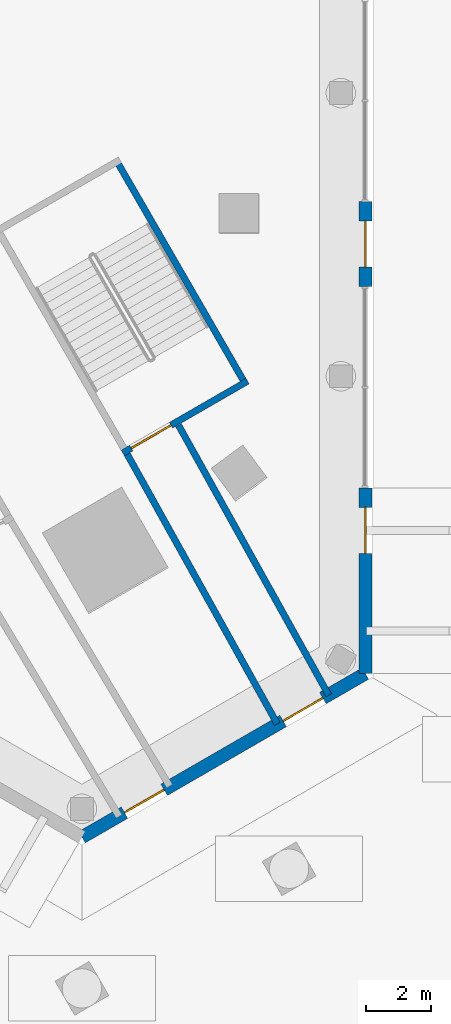
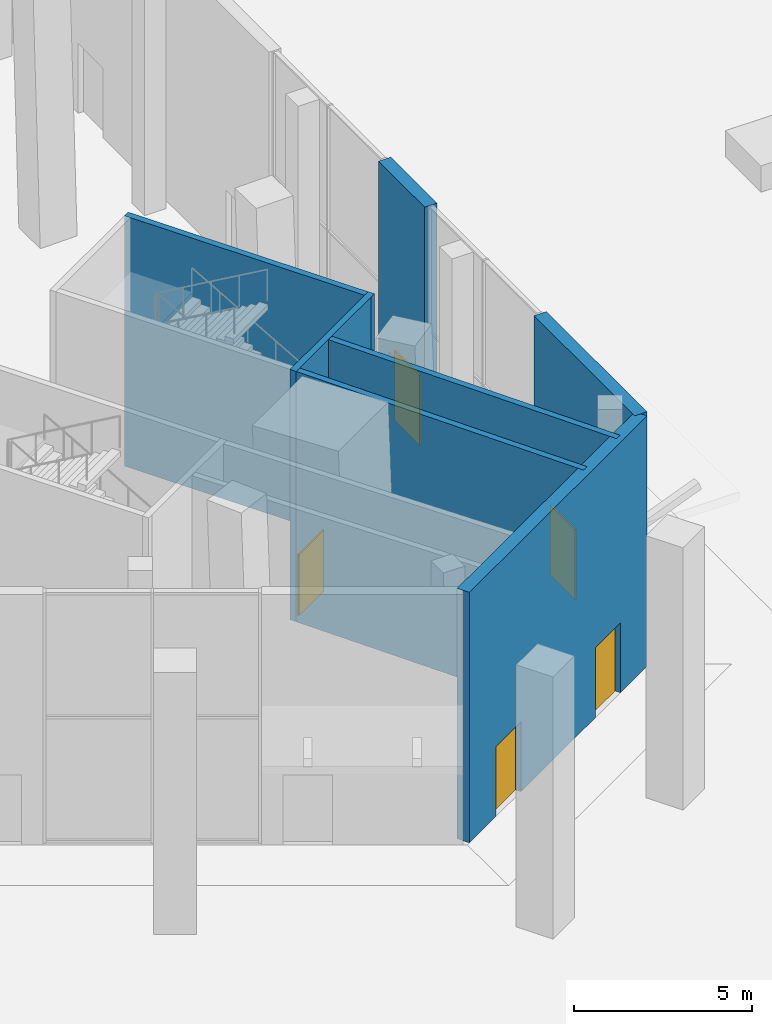
# One storey, part 24 of 63: 7 walls, 5 doors, 5 openings.
"""IFC4 building model written with IfcOpenShell, lengths in metres."""

from ifc_helpers import new_model, si_unit, direction, frame, frame_2d, origin, place, context, subcontext, project, spatial, rectangle, extrude, material, layer, layer_set, type_object, element, fill, save


model = new_model("IFC4")

# Units and contexts
model_context = context("Model", 3, precision=1e-05, world=origin(), true_north=direction((0.0, 1.0)))
body_context = subcontext(model_context, "Body", "Model", "MODEL_VIEW")
ifc_project = project(units=[si_unit("LENGTHUNIT", "METRE"), si_unit("AREAUNIT", "SQUARE_METRE"), si_unit("VOLUMEUNIT", "CUBIC_METRE"), si_unit("PLANEANGLEUNIT", "RADIAN"), si_unit("MASSUNIT", "GRAM", prefix="KILO")], contexts=[model_context])

# Site, building, storey
site_placement = place(None, origin())
site = spatial("IfcSite", under=ifc_project, at=site_placement, CompositionType="ELEMENT")
building_placement = place(site_placement, origin())
building = spatial("IfcBuilding", under=site, at=building_placement, Name="Jabali Bay Hotel Tower and Convention Centre", CompositionType="ELEMENT")
storey_placement = place(building_placement, origin())
storey = spatial("IfcBuildingStorey", under=building, at=storey_placement, Name="L00", CompositionType="ELEMENT", Elevation=0.0)

# Wall, opening, door
ifc_material_1 = material(Name="Concrete C40", Category="concrete")
ifc_layer_1 = layer(ifc_material_1, 0.39990234375)
ifc_layer_set_1 = layer_set([ifc_layer_1], Name="Concrete C40")
wall_type_1 = type_object("IfcWallType", Name="Podium external wall 400", PredefinedType="SOLIDWALL", material=ifc_layer_set_1)
wall_1_placement = place(storey_placement, frame((103.5, 46.310302734375, 0.0), z_axis=(0.0, 0.0, 1.0), x_axis=(0.0, -1.0, 0.0)))
wall_1 = element("IfcWall", 1, at=wall_1_placement, inside=storey, type_object=wall_type_1, Name="External wall east face L00", PredefinedType="SOLIDWALL", context=body_context, shape_type="SweptSolid", body=[
    extrude(rectangle(XDim=5.673828125, YDim=0.39990234375, at=frame_2d((2.8369140625, 0.0))), origin(), (0.0, 0.0, 1.0), 8.60009765625),
])
opening_1_placement = place(wall_1_placement, frame((0.60009765625, 0.0, 0.0)))
opening_1 = element("IfcOpeningElement", 2, at=opening_1_placement, cuts=wall_1, Name="Opening ED2", PredefinedType="OPENING", context=body_context, shape_type="SweptSolid", body=[
    extrude(rectangle(XDim=1.39990234375, YDim=2.39990234375, at=frame_2d((0.699951171875, 1.199951171875))), frame((0.0, 0.21044921875, 0.0), z_axis=(0.0, -1.0, 0.0), x_axis=(1.0, 0.0, 0.0)), (0.0, 0.0, 1.0), 0.4208984375),
])
ifc_material_2 = material(Name="Glass", Category="glass")
door_type_1 = type_object("IfcDoorType", Name="Entrance door 1400 x 2400", OperationType="NOTDEFINED", PredefinedType="NOTDEFINED", material=ifc_material_2)
door_1_placement = place(opening_1_placement, origin())
door_1 = element("IfcDoor", 3, at=door_1_placement, inside=storey, type_object=door_type_1, Name="Entrance door", OperationType="SINGLE_SWING_LEFT", OverallHeight=2.39990234375, OverallWidth=1.39990234375, PredefinedType="NOTDEFINED", context=body_context, shape_type="SweptSolid", body=[
    extrude(rectangle(XDim=1.39990234375, YDim=2.39990234375, at=frame_2d((0.699951171875, 1.199951171875))), frame((0.0, 0.02490234375, 0.0), z_axis=(0.0, -1.0, 0.0), x_axis=(1.0, 0.0, 0.0)), (0.0, 0.0, 1.0), 0.050048828125),
])
fill(opening_1, door_1)

wall_2_placement = place(storey_placement, frame((103.5, 55.0576171875, 0.0), z_axis=(0.0, 0.0, 1.0), x_axis=(0.0, -1.0, 0.0)))
wall_2 = element("IfcWall", 4, at=wall_2_placement, inside=storey, type_object=wall_type_1, Name="External wall east face L00", PredefinedType="SOLIDWALL", context=body_context, shape_type="SweptSolid", body=[
    extrude(rectangle(XDim=2.599853515625, YDim=0.39990234375, at=frame_2d((1.2998046875, 0.0))), origin(), (0.0, 0.0, 1.0), 8.60009765625),
])
opening_2_placement = place(wall_2_placement, frame((0.60009765625, 0.0, 0.0)))
opening_2 = element("IfcOpeningElement", 5, at=opening_2_placement, cuts=wall_2, Name="Opening ED2", PredefinedType="OPENING", context=body_context, shape_type="SweptSolid", body=[
    extrude(rectangle(XDim=1.39990234375, YDim=2.39990234375, at=frame_2d((0.699951171875, 1.199951171875))), frame((0.0, 0.21044921875, 0.0), z_axis=(0.0, -1.0, 0.0), x_axis=(1.0, 0.0, 0.0)), (0.0, 0.0, 1.0), 0.4208984375),
])
door_2_placement = place(opening_2_placement, origin())
door_2 = element("IfcDoor", 6, at=door_2_placement, inside=storey, type_object=door_type_1, Name="Entrance door", OperationType="SINGLE_SWING_RIGHT", OverallHeight=2.39990234375, OverallWidth=1.39990234375, PredefinedType="NOTDEFINED", context=body_context, shape_type="SweptSolid", body=[
    extrude(rectangle(XDim=1.39990234375, YDim=2.39990234375, at=frame_2d((0.699951171875, 1.199951171875))), frame((0.0, 0.02490234375, 0.0), z_axis=(0.0, -1.0, 0.0), x_axis=(1.0, 0.0, 0.0)), (0.0, 0.0, 1.0), 0.050048828125),
])
fill(opening_2, door_2)

# Wall, openings, doors
wall_3_placement = place(storey_placement, frame((103.5, 40.636474609375, 0.0), z_axis=(0.0, 0.0, 1.0), x_axis=(-0.866022959057, -0.500004234368, 0.0)))
wall_3 = element("IfcWall", 7, at=wall_3_placement, inside=storey, type_object=wall_type_1, Name="External wall south-east chamfer L00", PredefinedType="SOLIDWALL", context=body_context, shape_type="SweptSolid", body=[
    extrude(rectangle(XDim=10.0, YDim=0.39990234375, at=frame_2d((5.0, 0.0))), origin(), (0.0, 0.0, 1.0), 8.60009765625),
])
opening_3_placement = place(wall_3_placement, frame((7.10009765625, 0.0, 0.0)))
opening_3 = element("IfcOpeningElement", 8, at=opening_3_placement, cuts=wall_3, Name="Opening ED4", PredefinedType="OPENING", context=body_context, shape_type="SweptSolid", body=[
    extrude(rectangle(XDim=1.39990234375, YDim=2.39990234375, at=frame_2d((0.699951171875, 1.199951171875))), frame((0.0, 0.21044921875, 0.0), z_axis=(0.0, -1.0, 0.0), x_axis=(1.0, 0.0, 0.0)), (0.0, 0.0, 1.0), 0.4208984375),
])
opening_4_placement = place(wall_3_placement, frame((1.5, 0.0, 0.0)))
opening_4 = element("IfcOpeningElement", 9, at=opening_4_placement, cuts=wall_3, Name="Opening ED4", PredefinedType="OPENING", context=body_context, shape_type="SweptSolid", body=[
    extrude(rectangle(XDim=1.39990234375, YDim=2.39990234375, at=frame_2d((0.699951171875, 1.199951171875))), frame((0.0, 0.21044921875, 0.0), z_axis=(0.0, -1.0, 0.0), x_axis=(1.0, 0.0, 0.0)), (0.0, 0.0, 1.0), 0.4208984375),
])
ifc_material_3 = material(Name="Steel Q355B", Category="steel")
door_type_2 = type_object("IfcDoorType", Name="Stair exit door 1400 x 2400", OperationType="NOTDEFINED", PredefinedType="NOTDEFINED", material=ifc_material_3)
door_3_placement = place(opening_3_placement, origin())
door_3 = element("IfcDoor", 10, at=door_3_placement, inside=storey, type_object=door_type_2, Name="Stair PS6 exit door", OperationType="DOUBLE_DOOR_SINGLE_SWING", OverallHeight=2.39990234375, OverallWidth=1.39990234375, PredefinedType="NOTDEFINED", context=body_context, shape_type="SweptSolid", body=[
    extrude(rectangle(XDim=1.39990234375, YDim=2.39990234375, at=frame_2d((0.699951171875, 1.199951171875))), frame((0.0, 0.02490234375, 0.0), z_axis=(0.0, -1.0, 0.0), x_axis=(1.0, 0.0, 0.0)), (0.0, 0.0, 1.0), 0.050048828125),
])
fill(opening_3, door_3)
door_4_placement = place(opening_4_placement, origin())
door_4 = element("IfcDoor", 11, at=door_4_placement, inside=storey, type_object=door_type_2, Name="Stair PS5 exit door", OperationType="DOUBLE_DOOR_SINGLE_SWING", OverallHeight=2.39990234375, OverallWidth=1.39990234375, PredefinedType="NOTDEFINED", context=body_context, shape_type="SweptSolid", body=[
    extrude(rectangle(XDim=1.39990234375, YDim=2.39990234375, at=frame_2d((0.699951171875, 1.199951171875))), frame((0.0, 0.02490234375, 0.0), z_axis=(0.0, -1.0, 0.0), x_axis=(1.0, 0.0, 0.0)), (0.0, 0.0, 1.0), 0.050048828125),
])
fill(opening_4, door_4)

# Wall, opening, door
ifc_layer_2 = layer(ifc_material_1, 0.199951171875)
ifc_layer_set_2 = layer_set([ifc_layer_2], Name="Concrete C40")
wall_type_2 = type_object("IfcWallType", Name="Podium stair enclosure wall 200", PredefinedType="SOLIDWALL", material=ifc_layer_set_2)
wall_4_placement = place(storey_placement, frame((96.0888671875, 47.373291015625, 0.0), z_axis=(0.0, 0.0, 1.0), x_axis=(0.866018331238, 0.50001224981, 0.0)))
wall_4 = element("IfcWall", 12, at=wall_4_placement, inside=storey, type_object=wall_type_2, Name="Podium stair wall 5.1 L00", PredefinedType="SOLIDWALL", context=body_context, shape_type="SweptSolid", body=[
    extrude(rectangle(XDim=4.39990234375, YDim=0.199951171875, at=frame_2d((2.199951171875, 0.0))), origin(), (0.0, 0.0, 1.0), 8.60009765625),
])
opening_5_placement = place(wall_4_placement, frame((0.300048828125, 0.0, 0.0)))
opening_5 = element("IfcOpeningElement", 13, at=opening_5_placement, cuts=wall_4, Name="Opening D1756", PredefinedType="OPENING", context=body_context, shape_type="SweptSolid", body=[
    extrude(rectangle(XDim=1.39990234375, YDim=2.10009765625, at=frame_2d((0.699951171875, 1.050048828125))), frame((0.0, 0.1103515625, 0.0), z_axis=(0.0, -1.0, 0.0), x_axis=(1.0, 0.0, 0.0)), (0.0, 0.0, 1.0), 0.220947265625),
])
ifc_material_4 = material(Name="Fire-rated steel door", Category="steel")
door_type_3 = type_object("IfcDoorType", Name="Podium stair fire door 1400 x 2100", OperationType="NOTDEFINED", PredefinedType="NOTDEFINED", material=ifc_material_4)
door_5_placement = place(opening_5_placement, origin())
door_5 = element("IfcDoor", 14, at=door_5_placement, inside=storey, type_object=door_type_3, Name="Podium stair fire door D1756", OperationType="SINGLE_SWING_RIGHT", OverallHeight=2.10009765625, OverallWidth=1.39990234375, PredefinedType="NOTDEFINED", context=body_context, shape_type="SweptSolid", body=[
    extrude(rectangle(XDim=1.39990234375, YDim=2.10009765625, at=frame_2d((0.699951171875, 1.050048828125))), frame((0.0, 0.02490234375, 0.0), z_axis=(0.0, -1.0, 0.0), x_axis=(1.0, 0.0, 0.0)), (0.0, 0.0, 1.0), 0.050048828125),
])
fill(opening_5, door_5)

# Walls
wall_5_placement = place(storey_placement, frame((99.862548828125, 49.4365234375, 0.0), z_axis=(0.0, 0.0, 1.0), x_axis=(-0.49999894854, 0.866026010844, 0.0)))
element("IfcWall", 15, at=wall_5_placement, inside=storey, type_object=wall_type_2, Name="Podium stair wall 5.2 L00", PredefinedType="SOLIDWALL", context=body_context, shape_type="SweptSolid", body=[
    extrude(rectangle(XDim=8.0, YDim=0.199951171875, at=frame_2d((4.0, 0.0))), origin(), (0.0, 0.0, 1.0), 8.60009765625),
])
ifc_layer_3 = layer(ifc_material_1, 0.199951171875)
ifc_layer_set_3 = layer_set([ifc_layer_3], Name="Concrete C40")
wall_type_3 = type_object("IfcWallType", Name="Podium stair wall 200", PredefinedType="PARTITIONING", material=ifc_layer_set_3)
wall_6_placement = place(storey_placement, frame((96.21826171875, 47.34912109375, 0.0), z_axis=(0.0, 0.0, 1.0), x_axis=(0.486178564257, -0.873859487364, 0.0)))
element("IfcWall", 16, at=wall_6_placement, inside=storey, type_object=wall_type_3, Name="Exit passage wall 5.1", PredefinedType="PARTITIONING", context=body_context, shape_type="SweptSolid", body=[
    extrude(rectangle(XDim=9.441162109375, YDim=0.199951171875, at=frame_2d((4.720703125, 0.0))), origin(), (0.0, 0.0, 1.0), 8.60009765625),
])
wall_7_placement = place(storey_placement, frame((102.381103515625, 39.97412109375, 0.0), z_axis=(0.0, 0.0, 1.0), x_axis=(-0.486169803384, 0.873864361487, 0.0)))
element("IfcWall", 17, at=wall_7_placement, inside=storey, type_object=wall_type_3, Name="Exit passage wall 5.2", PredefinedType="PARTITIONING", context=body_context, shape_type="SweptSolid", body=[
    extrude(rectangle(XDim=9.44091796875, YDim=0.199951171875, at=frame_2d((4.720458984375, 0.0))), origin(), (0.0, 0.0, 1.0), 8.60009765625),
])

save(model, "model.ifc")
